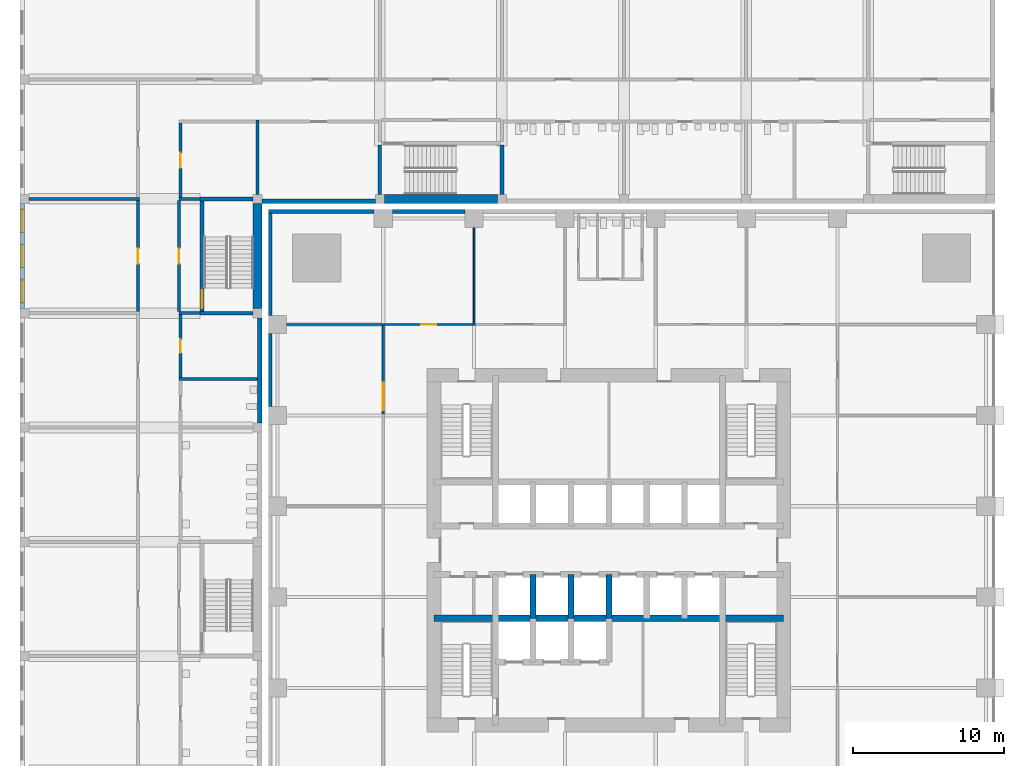
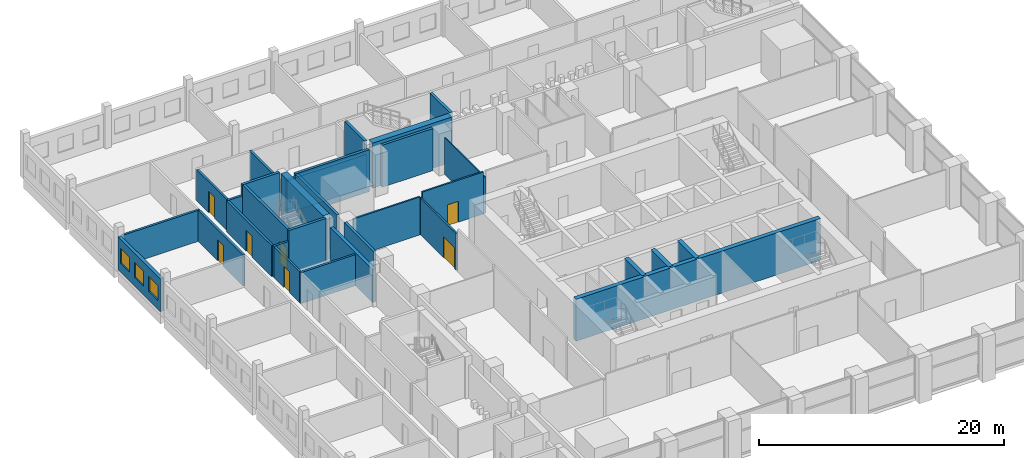
# One storey, part 13 of 25: 33 walls, 7 doors, 3 windows, 10 openings.
"""IFC4 building model written with IfcOpenShell, lengths in metres."""

from ifc_helpers import new_model, si_unit, direction, frame, frame_2d, origin, place, context, subcontext, project, spatial, rectangle, extrude, material, layer, layer_set, type_object, element, fill, save


model = new_model("IFC4")

# Units and contexts
model_context = context("Model", 3, precision=1e-05, world=origin(), true_north=direction((0.0, 1.0)))
body_context = subcontext(model_context, "Body", "Model", "MODEL_VIEW")
ifc_project = project(units=[si_unit("LENGTHUNIT", "METRE"), si_unit("AREAUNIT", "SQUARE_METRE"), si_unit("VOLUMEUNIT", "CUBIC_METRE"), si_unit("PLANEANGLEUNIT", "RADIAN"), si_unit("MASSUNIT", "GRAM", prefix="KILO")], contexts=[model_context])

# Site, building, storey
site_placement = place(None, origin())
site = spatial("IfcSite", under=ifc_project, at=site_placement, CompositionType="ELEMENT")
building_placement = place(site_placement, origin())
building = spatial("IfcBuilding", under=site, at=building_placement, Name="Amberfall Residences", CompositionType="ELEMENT")
storey_placement = place(building_placement, frame((0.0, 0.0, 10.0)))
storey = spatial("IfcBuildingStorey", under=building, at=storey_placement, Name="L02", CompositionType="ELEMENT", Elevation=10.0)

# Walls
ifc_material_1 = material(Name="Concrete C80", Category="concrete")
ifc_layer_1 = layer(ifc_material_1, 0.39990234375)
ifc_layer_set_1 = layer_set([ifc_layer_1], Name="Core wall 400 C80")
wall_type_1 = type_object("IfcWallType", Name="Core wall 400 C80", PredefinedType="SHEAR", material=ifc_layer_set_1)
wall_1_placement = place(storey_placement, frame((62.949951171875, 41.0, 0.0), z_axis=(0.0, 0.0, 1.0), x_axis=(1.0, 0.0, 0.0)))
element("IfcWall", 1, at=wall_1_placement, inside=storey, type_object=wall_type_1, Name="Core wall RW2 L02 H75", PredefinedType="SHEAR", context=body_context, shape_type="SweptSolid", body=[
    extrude(rectangle(XDim=23.10009765625, YDim=0.39990234375, at=frame_2d((11.550048828125, 0.0))), origin(), (0.0, 0.0, 1.0), 4.199951171875),
])
for number, where, z_axis, x_axis, name in (
    (2, (69.5, 41.0, 0.0), (0.0, 0.0, 1.0), (0.0, 1.0, 0.0), "Core wall RW2 L02 LPD1"),
    (3, (72.0, 41.0, 0.0), (0.0, 0.0, 1.0), (0.0, 1.0, 0.0), "Core wall RW2 L02 LPD2"),
    (4, (74.5, 41.0, 0.0), (0.0, 0.0, 1.0), (0.0, 1.0, 0.0), "Core wall RW2 L02 LPD3"),
):
    element("IfcWall", number, at=place(storey_placement, frame(where, z_axis=z_axis, x_axis=x_axis)), inside=storey, type_object=wall_type_1, Name=name, PredefinedType="SHEAR", context=body_context, shape_type="SweptSolid", body=[
        extrude(rectangle(XDim=2.89990234375, YDim=0.39990234375, at=frame_2d((1.449951171875, 0.0))), origin(), (0.0, 0.0, 1.0), 4.199951171875),
    ])
ifc_material_2 = material(Name="Gypsum board on steel studs", Category="steel")
ifc_layer_2 = layer(ifc_material_2, 0.10009765625)
ifc_layer_set_2 = layer_set([ifc_layer_2], Name="Partition 100")
wall_type_2 = type_object("IfcWallType", Name="Partition 100", PredefinedType="PARTITIONING", material=ifc_layer_set_2)
wall_2_placement = place(storey_placement, frame((65.60009765625, 60.47509765625, 0.0), z_axis=(0.0, 0.0, 1.0), x_axis=(0.0, 1.0, 0.0)))
element("IfcWall", 5, at=wall_2_placement, inside=storey, type_object=wall_type_2, Name="Partition 100 L02 004", PredefinedType="PARTITIONING", context=body_context, shape_type="SweptSolid", body=[
    extrude(rectangle(XDim=6.324951171875, YDim=0.10009765625, at=frame_2d((3.16259765625, 0.0))), origin(), (0.0, 0.0, 1.0), 3.6669921875),
])
ifc_material_3 = material(Name="Fire-rated gypsum board on steel studs", Category="steel")
ifc_layer_3 = layer(ifc_material_3, 0.14990234375)
ifc_layer_set_3 = layer_set([ifc_layer_3], Name="Partition 150 fire-rated")
wall_type_3 = type_object("IfcWallType", Name="Partition 150 fire-rated", PredefinedType="PARTITIONING", material=ifc_layer_set_3)
wall_3_placement = place(storey_placement, frame((53.199951171875, 60.39990234375, 0.0), z_axis=(0.0, 0.0, 1.0), x_axis=(1.0, 0.0, 0.0)))
element("IfcWall", 6, at=wall_3_placement, inside=storey, type_object=wall_type_3, Name="Partition 150 fire-rated L02 014", PredefinedType="PARTITIONING", context=body_context, shape_type="SweptSolid", body=[
    extrude(rectangle(XDim=6.280029296875, YDim=0.14990234375, at=frame_2d((3.14013671875, 0.0))), origin(), (0.0, 0.0, 1.0), 3.797119140625),
])
wall_4_placement = place(storey_placement, frame((59.49462890625, 60.39990234375, 0.0), z_axis=(0.0, 0.0, 1.0), x_axis=(1.0, 0.0, 0.0)))
element("IfcWall", 7, at=wall_4_placement, inside=storey, type_object=wall_type_3, Name="Partition 150 fire-rated L02 015", PredefinedType="PARTITIONING", context=body_context, shape_type="SweptSolid", body=[
    extrude(rectangle(XDim=0.210693359375, YDim=0.14990234375, at=frame_2d((0.10546875, 0.0))), origin(), (0.0, 0.0, 1.0), 3.659912109375),
])

# Wall, opening, door
wall_5_placement = place(storey_placement, frame((59.705322265625, 60.39990234375, 0.0), z_axis=(0.0, 0.0, 1.0), x_axis=(1.0, 0.0, 0.0)))
wall_5 = element("IfcWall", 8, at=wall_5_placement, inside=storey, type_object=wall_type_3, Name="Partition 150 fire-rated L02 016", PredefinedType="PARTITIONING", context=body_context, shape_type="SweptSolid", body=[
    extrude(rectangle(XDim=5.7900390625, YDim=0.14990234375, at=frame_2d((2.89501953125, 0.0))), origin(), (0.0, 0.0, 1.0), 4.199951171875),
])
opening_1_placement = place(wall_5_placement, frame((2.39453125, 0.0, 0.0)))
opening_1 = element("IfcOpeningElement", 9, at=opening_1_placement, cuts=wall_5, Name="Opening D2", PredefinedType="OPENING", context=body_context, shape_type="SweptSolid", body=[
    extrude(rectangle(XDim=1.0, YDim=2.10009765625, at=frame_2d((0.5, 1.050048828125))), frame((0.0, 0.0849609375, 0.0), z_axis=(0.0, -1.0, 0.0), x_axis=(1.0, 0.0, 0.0)), (0.0, 0.0, 1.0), 0.169921875),
])
ifc_material_4 = material(Name="Steel fire door leaf", Category="steel")
door_type_1 = type_object("IfcDoorType", Name="Fire door 1000x2100 FD30S", OperationType="SINGLE_SWING_LEFT", PredefinedType="DOOR", material=ifc_material_4)
door_1_placement = place(opening_1_placement, origin())
door_1 = element("IfcDoor", 10, at=door_1_placement, inside=storey, type_object=door_type_1, Name="Door Changing rooms", OperationType="SINGLE_SWING_LEFT", OverallHeight=2.10009765625, OverallWidth=1.0, PredefinedType="DOOR", context=body_context, shape_type="SweptSolid", body=[
    extrude(rectangle(XDim=1.0, YDim=2.10009765625, at=frame_2d((0.5, 1.050048828125))), frame((0.0, 0.02490234375, 0.0), z_axis=(0.0, -1.0, 0.0), x_axis=(1.0, 0.0, 0.0)), (0.0, 0.0, 1.0), 0.050048828125),
])
fill(opening_1, door_1)

# Wall
wall_6_placement = place(storey_placement, frame((65.495361328125, 60.39990234375, 0.0), z_axis=(0.0, 0.0, 1.0), x_axis=(1.0, 0.0, 0.0)))
element("IfcWall", 11, at=wall_6_placement, inside=storey, type_object=wall_type_3, Name="Partition 150 fire-rated L02 017", PredefinedType="PARTITIONING", context=body_context, shape_type="SweptSolid", body=[
    extrude(rectangle(XDim=0.209228515625, YDim=0.14990234375, at=frame_2d((0.1044921875, 0.0))), origin(), (0.0, 0.0, 1.0), 3.6669921875),
])

# Wall, opening, door
wall_7_placement = place(storey_placement, frame((59.60009765625, 54.504638671875, 0.0), z_axis=(0.0, 0.0, 1.0), x_axis=(0.0, 1.0, 0.0)))
wall_7 = element("IfcWall", 12, at=wall_7_placement, inside=storey, type_object=wall_type_3, Name="Partition 150 fire-rated L02 035", PredefinedType="PARTITIONING", context=body_context, shape_type="SweptSolid", body=[
    extrude(rectangle(XDim=5.8203125, YDim=0.14990234375, at=frame_2d((2.91015625, 0.0))), origin(), (0.0, 0.0, 1.0), 3.659912109375),
])
opening_2_placement = place(wall_7_placement, frame((0.245361328125, 0.0, 0.0)))
opening_2 = element("IfcOpeningElement", 13, at=opening_2_placement, cuts=wall_7, Name="Opening D5", PredefinedType="OPENING", context=body_context, shape_type="SweptSolid", body=[
    extrude(rectangle(XDim=1.800048828125, YDim=2.10009765625, at=frame_2d((0.89990234375, 1.050048828125))), frame((0.0, 0.0849609375, 0.0), z_axis=(0.0, -1.0, 0.0), x_axis=(1.0, 0.0, 0.0)), (0.0, 0.0, 1.0), 0.169921875),
])
ifc_material_5 = material(Name="Timber veneer door leaf", Category="wood")
door_type_2 = type_object("IfcDoorType", Name="Double door 1800x2100", OperationType="DOUBLE_DOOR_SINGLE_SWING", PredefinedType="DOOR", material=ifc_material_5)
door_2_placement = place(opening_2_placement, origin())
door_2 = element("IfcDoor", 14, at=door_2_placement, inside=storey, type_object=door_type_2, Name="Door Climbing wall room", OperationType="DOUBLE_DOOR_SINGLE_SWING", OverallHeight=2.10009765625, OverallWidth=1.800048828125, PredefinedType="DOOR", context=body_context, shape_type="SweptSolid", body=[
    extrude(rectangle(XDim=1.800048828125, YDim=2.10009765625, at=frame_2d((0.89990234375, 1.050048828125))), frame((0.0, 0.02490234375, 0.0), z_axis=(0.0, -1.0, 0.0), x_axis=(1.0, 0.0, 0.0)), (0.0, 0.0, 1.0), 0.050048828125),
])
fill(opening_2, door_2)

# Walls
ifc_material_6 = material(Name="Precast concrete C40", Category="concrete")
ifc_layer_4 = layer(ifc_material_6, 0.25)
ifc_layer_set_4 = layer_set([ifc_layer_4], Name="Podium external wall 250")
wall_type_4 = type_object("IfcWallType", Name="Podium external wall 250", PredefinedType="SOLIDWALL", material=ifc_layer_set_4)
wall_8_placement = place(storey_placement, frame((52.0, 67.875, 0.0), z_axis=(0.0, 0.0, 1.0), x_axis=(1.0, 0.0, 0.0)))
element("IfcWall", 15, at=wall_8_placement, inside=storey, type_object=wall_type_4, Name="Podium external wall N1", PredefinedType="SOLIDWALL", context=body_context, shape_type="SweptSolid", body=[
    extrude(rectangle(XDim=7.0, YDim=0.25, at=frame_2d((3.5, 0.0))), origin(), (0.0, 0.0, 1.0), 4.199951171875),
])
for number, where, z_axis, x_axis, name in (
    (16, (60.199951171875, 67.875, 0.0), (0.0, 0.0, 1.0), (1.0, 0.0, 0.0), "Podium external wall N2"),
    (17, (52.125, 55.0, 0.0), (0.0, 0.0, 1.0), (0.0, 1.0, 0.0), "Podium external wall W6"),
):
    element("IfcWall", number, at=place(storey_placement, frame(where, z_axis=z_axis, x_axis=x_axis)), inside=storey, type_object=wall_type_4, Name=name, PredefinedType="SOLIDWALL", context=body_context, shape_type="SweptSolid", body=[
        extrude(rectangle(XDim=4.800048828125, YDim=0.25, at=frame_2d((2.39990234375, 0.0))), origin(), (0.0, 0.0, 1.0), 4.199951171875),
    ])
wall_9_placement = place(storey_placement, frame((52.125, 61.0, 0.0), z_axis=(0.0, 0.0, 1.0), x_axis=(0.0, 1.0, 0.0)))
element("IfcWall", 18, at=wall_9_placement, inside=storey, type_object=wall_type_4, Name="Podium external wall W7", PredefinedType="SOLIDWALL", context=body_context, shape_type="SweptSolid", body=[
    extrude(rectangle(XDim=7.0, YDim=0.25, at=frame_2d((3.5, 0.0))), origin(), (0.0, 0.0, 1.0), 4.199951171875),
])

# Wall, openings, windows
ifc_material_7 = material(Name="Aerated block wall")
ifc_layer_5 = layer(ifc_material_7, 0.300048828125)
ifc_layer_set_5 = layer_set([ifc_layer_5], Name="School external wall 300")
wall_type_5 = type_object("IfcWallType", Name="School external wall 300", PredefinedType="SOLIDWALL", material=ifc_layer_set_5)
wall_10_placement = place(storey_placement, frame((35.75, 61.449951171875, 0.0), z_axis=(0.0, 0.0, 1.0), x_axis=(0.0, 1.0, 0.0)))
wall_10 = element("IfcWall", 19, at=wall_10_placement, inside=storey, type_object=wall_type_5, Name="School external wall L02 EW7", PredefinedType="SOLIDWALL", context=body_context, shape_type="SweptSolid", body=[
    extrude(rectangle(XDim=6.949951171875, YDim=0.300048828125, at=frame_2d((3.47509765625, 0.0))), origin(), (0.0, 0.0, 1.0), 3.300048828125),
])
opening_3_placement = place(wall_10_placement, frame((0.408203125, 0.0, 0.89990234375)))
opening_3 = element("IfcOpeningElement", 20, at=opening_3_placement, cuts=wall_10, Name="Opening SWN1", PredefinedType="OPENING", context=body_context, shape_type="SweptSolid", body=[
    extrude(rectangle(XDim=1.5, YDim=1.5, at=frame_2d((0.75, 0.75))), frame((0.0, 0.159912109375, 0.0), z_axis=(0.0, -1.0, 0.0), x_axis=(1.0, 0.0, 0.0)), (0.0, 0.0, 1.0), 0.320068359375),
])
opening_4_placement = place(wall_10_placement, frame((2.72509765625, 0.0, 0.89990234375)))
opening_4 = element("IfcOpeningElement", 21, at=opening_4_placement, cuts=wall_10, Name="Opening SWN1", PredefinedType="OPENING", context=body_context, shape_type="SweptSolid", body=[
    extrude(rectangle(XDim=1.5, YDim=1.5, at=frame_2d((0.75, 0.75))), frame((0.0, 0.159912109375, 0.0), z_axis=(0.0, -1.0, 0.0), x_axis=(1.0, 0.0, 0.0)), (0.0, 0.0, 1.0), 0.320068359375),
])
opening_5_placement = place(wall_10_placement, frame((5.041748046875, 0.0, 0.89990234375)))
opening_5 = element("IfcOpeningElement", 22, at=opening_5_placement, cuts=wall_10, Name="Opening SWN1", PredefinedType="OPENING", context=body_context, shape_type="SweptSolid", body=[
    extrude(rectangle(XDim=1.5, YDim=1.5, at=frame_2d((0.75, 0.75))), frame((0.0, 0.159912109375, 0.0), z_axis=(0.0, -1.0, 0.0), x_axis=(1.0, 0.0, 0.0)), (0.0, 0.0, 1.0), 0.320068359375),
])
ifc_material_8 = material(Name="Aluminium window", Category="aluminium")
window_type = type_object("IfcWindowType", Name="School window 1500 x 1500", PartitioningType="DOUBLE_PANEL_HORIZONTAL", PredefinedType="WINDOW", material=ifc_material_8)
window_1_placement = place(opening_3_placement, origin())
window_1 = element("IfcWindow", 23, at=window_1_placement, inside=storey, type_object=window_type, Name="School window L02 EW7-1", OverallHeight=1.5, OverallWidth=1.5, PartitioningType="DOUBLE_PANEL_HORIZONTAL", PredefinedType="WINDOW", context=body_context, shape_type="SweptSolid", body=[
    extrude(rectangle(XDim=1.5, YDim=1.5, at=frame_2d((0.75, 0.75))), frame((0.0, 0.030029296875, 0.0), z_axis=(0.0, -1.0, 0.0), x_axis=(1.0, 0.0, 0.0)), (0.0, 0.0, 1.0), 0.06005859375),
])
fill(opening_3, window_1)
window_2_placement = place(opening_4_placement, origin())
window_2 = element("IfcWindow", 24, at=window_2_placement, inside=storey, type_object=window_type, Name="School window L02 EW7-2", OverallHeight=1.5, OverallWidth=1.5, PartitioningType="DOUBLE_PANEL_HORIZONTAL", PredefinedType="WINDOW", context=body_context, shape_type="SweptSolid", body=[
    extrude(rectangle(XDim=1.5, YDim=1.5, at=frame_2d((0.75, 0.75))), frame((0.0, 0.030029296875, 0.0), z_axis=(0.0, -1.0, 0.0), x_axis=(1.0, 0.0, 0.0)), (0.0, 0.0, 1.0), 0.06005859375),
])
fill(opening_4, window_2)
window_3_placement = place(opening_5_placement, origin())
window_3 = element("IfcWindow", 25, at=window_3_placement, inside=storey, type_object=window_type, Name="School window L02 EW7-3", OverallHeight=1.5, OverallWidth=1.5, PartitioningType="DOUBLE_PANEL_HORIZONTAL", PredefinedType="WINDOW", context=body_context, shape_type="SweptSolid", body=[
    extrude(rectangle(XDim=1.5, YDim=1.5, at=frame_2d((0.75, 0.75))), frame((0.0, 0.030029296875, 0.0), z_axis=(0.0, -1.0, 0.0), x_axis=(1.0, 0.0, 0.0)), (0.0, 0.0, 1.0), 0.06005859375),
])
fill(opening_5, window_3)

# Walls
wall_11_placement = place(storey_placement, frame((51.449951171875, 53.89990234375, 0.0), z_axis=(0.0, 0.0, 1.0), x_axis=(0.0, 1.0, 0.0)))
element("IfcWall", 26, at=wall_11_placement, inside=storey, type_object=wall_type_5, Name="School external wall L02 ET6", PredefinedType="SOLIDWALL", context=body_context, shape_type="SweptSolid", body=[
    extrude(rectangle(XDim=6.9501953125, YDim=0.300048828125, at=frame_2d((3.47509765625, 0.0))), origin(), (0.0, 0.0, 1.0), 3.300048828125),
])
wall_12_placement = place(storey_placement, frame((51.60009765625, 68.550048828125, 0.0), z_axis=(0.0, 0.0, 1.0), x_axis=(1.0, 0.0, 0.0)))
element("IfcWall", 27, at=wall_12_placement, inside=storey, type_object=wall_type_5, Name="School external wall L02 EY0", PredefinedType="SOLIDWALL", context=body_context, shape_type="SweptSolid", body=[
    extrude(rectangle(XDim=7.466796875, YDim=0.300048828125, at=frame_2d((3.7333984375, 0.0))), origin(), (0.0, 0.0, 1.0), 3.300048828125),
])

# Wall, opening, door
ifc_layer_6 = layer(ifc_material_7, 0.199951171875)
ifc_layer_set_6 = layer_set([ifc_layer_6], Name="School partition 200")
wall_type_6 = type_object("IfcWallType", Name="School partition 200", PredefinedType="PARTITIONING", material=ifc_layer_set_6)
wall_13_placement = place(storey_placement, frame((43.39990234375, 61.25, 0.0), z_axis=(0.0, 0.0, 1.0), x_axis=(0.0, 1.0, 0.0)))
wall_13 = element("IfcWall", 28, at=wall_13_placement, inside=storey, type_object=wall_type_6, Name="School partition L02 CWW7", PredefinedType="PARTITIONING", context=body_context, shape_type="SweptSolid", body=[
    extrude(rectangle(XDim=7.35009765625, YDim=0.199951171875, at=frame_2d((3.675048828125, 0.0))), origin(), (0.0, 0.0, 1.0), 3.10009765625),
])
opening_6_placement = place(wall_13_placement, frame((3.175048828125, 0.0, 0.0)))
opening_6 = element("IfcOpeningElement", 29, at=opening_6_placement, cuts=wall_13, Name="Opening SD5", PredefinedType="OPENING", context=body_context, shape_type="SweptSolid", body=[
    extrude(rectangle(XDim=1.0, YDim=2.10009765625, at=frame_2d((0.5, 1.050048828125))), frame((0.0, 0.10986328125, 0.0), z_axis=(0.0, -1.0, 0.0), x_axis=(1.0, 0.0, 0.0)), (0.0, 0.0, 1.0), 0.219970703125),
])
ifc_material_9 = material(Name="Timber door", Category="wood")
door_type_3 = type_object("IfcDoorType", Name="School classroom door 1000 x 2100", OperationType="SINGLE_SWING_LEFT", PredefinedType="DOOR", material=ifc_material_9)
door_3_placement = place(opening_6_placement, origin())
door_3 = element("IfcDoor", 30, at=door_3_placement, inside=storey, type_object=door_type_3, Name="School door L02 CWW7-1", OperationType="SINGLE_SWING_LEFT", OverallHeight=2.10009765625, OverallWidth=1.0, PredefinedType="DOOR", context=body_context, shape_type="SweptSolid", body=[
    extrude(rectangle(XDim=1.0, YDim=2.10009765625, at=frame_2d((0.5, 1.050048828125))), frame((0.0, 0.02490234375, 0.0), z_axis=(0.0, -1.0, 0.0), x_axis=(1.0, 0.0, 0.0)), (0.0, 0.0, 1.0), 0.050048828125),
])
fill(opening_6, door_3)

# Wall
wall_14_placement = place(storey_placement, frame((36.199951171875, 68.699951171875, 0.0), z_axis=(0.0, 0.0, 1.0), x_axis=(1.0, 0.0, 0.0)))
element("IfcWall", 31, at=wall_14_placement, inside=storey, type_object=wall_type_6, Name="School partition L02 PW6870", PredefinedType="PARTITIONING", context=body_context, shape_type="SweptSolid", body=[
    extrude(rectangle(XDim=7.300048828125, YDim=0.199951171875, at=frame_2d((3.64990234375, 0.0))), origin(), (0.0, 0.0, 1.0), 3.10009765625),
])

# Wall, opening, door
wall_15_placement = place(storey_placement, frame((46.199951171875, 56.89990234375, 0.0), z_axis=(0.0, 0.0, 1.0), x_axis=(0.0, 1.0, 0.0)))
wall_15 = element("IfcWall", 32, at=wall_15_placement, inside=storey, type_object=wall_type_6, Name="School partition L02 CWE657", PredefinedType="PARTITIONING", context=body_context, shape_type="SweptSolid", body=[
    extrude(rectangle(XDim=4.150146484375, YDim=0.199951171875, at=frame_2d((2.0751953125, 0.0))), origin(), (0.0, 0.0, 1.0), 3.10009765625),
])
opening_7_placement = place(wall_15_placement, frame((1.625, 0.0, 0.0)))
opening_7 = element("IfcOpeningElement", 33, at=opening_7_placement, cuts=wall_15, Name="Opening SD2", PredefinedType="OPENING", context=body_context, shape_type="SweptSolid", body=[
    extrude(rectangle(XDim=0.89990234375, YDim=2.10009765625, at=frame_2d((0.449951171875, 1.050048828125))), frame((0.0, 0.10986328125, 0.0), z_axis=(0.0, -1.0, 0.0), x_axis=(1.0, 0.0, 0.0)), (0.0, 0.0, 1.0), 0.219970703125),
])
door_type_4 = type_object("IfcDoorType", Name="School WC door 900 x 2100", OperationType="SINGLE_SWING_LEFT", PredefinedType="DOOR", material=ifc_material_9)
door_4_placement = place(opening_7_placement, origin())
door_4 = element("IfcDoor", 34, at=door_4_placement, inside=storey, type_object=door_type_4, Name="School door L02 CWE657-1", OperationType="SINGLE_SWING_LEFT", OverallHeight=2.10009765625, OverallWidth=0.89990234375, PredefinedType="DOOR", context=body_context, shape_type="SweptSolid", body=[
    extrude(rectangle(XDim=0.89990234375, YDim=2.10009765625, at=frame_2d((0.449951171875, 1.050048828125))), frame((0.0, 0.02490234375, 0.0), z_axis=(0.0, -1.0, 0.0), x_axis=(1.0, 0.0, 0.0)), (0.0, 0.0, 1.0), 0.050048828125),
])
fill(opening_7, door_4)

wall_16_placement = place(storey_placement, frame((46.199951171875, 68.800048828125, 0.0), z_axis=(0.0, 0.0, 1.0), x_axis=(0.0, 1.0, 0.0)))
wall_16 = element("IfcWall", 35, at=wall_16_placement, inside=storey, type_object=wall_type_6, Name="School partition L02 CWE869", PredefinedType="PARTITIONING", context=body_context, shape_type="SweptSolid", body=[
    extrude(rectangle(XDim=4.89990234375, YDim=0.199951171875, at=frame_2d((2.449951171875, 0.0))), origin(), (0.0, 0.0, 1.0), 3.10009765625),
])
opening_8_placement = place(wall_16_placement, frame((1.949951171875, 0.0, 0.0)))
opening_8 = element("IfcOpeningElement", 36, at=opening_8_placement, cuts=wall_16, Name="Opening SD5", PredefinedType="OPENING", context=body_context, shape_type="SweptSolid", body=[
    extrude(rectangle(XDim=1.0, YDim=2.10009765625, at=frame_2d((0.5, 1.050048828125))), frame((0.0, 0.10986328125, 0.0), z_axis=(0.0, -1.0, 0.0), x_axis=(1.0, 0.0, 0.0)), (0.0, 0.0, 1.0), 0.219970703125),
])
door_5_placement = place(opening_8_placement, origin())
door_5 = element("IfcDoor", 37, at=door_5_placement, inside=storey, type_object=door_type_3, Name="School door L02 CWE869-1", OperationType="SINGLE_SWING_LEFT", OverallHeight=2.10009765625, OverallWidth=1.0, PredefinedType="DOOR", context=body_context, shape_type="SweptSolid", body=[
    extrude(rectangle(XDim=1.0, YDim=2.10009765625, at=frame_2d((0.5, 1.050048828125))), frame((0.0, 0.02490234375, 0.0), z_axis=(0.0, -1.0, 0.0), x_axis=(1.0, 0.0, 0.0)), (0.0, 0.0, 1.0), 0.050048828125),
])
fill(opening_8, door_5)

# Walls
for number, where, z_axis, x_axis, name in (
    (38, (46.10009765625, 61.14990234375, 0.0), (0.0, 0.0, 1.0), (1.0, 0.0, 0.0), "School partition L02 PEA7"),
    (39, (46.10009765625, 68.699951171875, 0.0), (0.0, 0.0, 1.0), (1.0, 0.0, 0.0), "School partition L02 PEA8"),
):
    element("IfcWall", number, at=place(storey_placement, frame(where, z_axis=z_axis, x_axis=x_axis)), inside=storey, type_object=wall_type_6, Name=name, PredefinedType="PARTITIONING", context=body_context, shape_type="SweptSolid", body=[
        extrude(rectangle(XDim=1.39990234375, YDim=0.199951171875, at=frame_2d((0.699951171875, 0.0))), origin(), (0.0, 0.0, 1.0), 3.10009765625),
    ])
wall_17_placement = place(storey_placement, frame((46.10009765625, 56.800048828125, 0.0), z_axis=(0.0, 0.0, 1.0), x_axis=(1.0, 0.0, 0.0)))
element("IfcWall", 40, at=wall_17_placement, inside=storey, type_object=wall_type_6, Name="School partition L02 PE6x", PredefinedType="PARTITIONING", context=body_context, shape_type="SweptSolid", body=[
    extrude(rectangle(XDim=5.199951171875, YDim=0.199951171875, at=frame_2d((2.60009765625, 0.0))), origin(), (0.0, 0.0, 1.0), 3.10009765625),
])
wall_18_placement = place(storey_placement, frame((51.300048828125, 69.0, 0.0), z_axis=(0.0, 0.0, 1.0), x_axis=(0.0, 1.0, 0.0)))
element("IfcWall", 41, at=wall_18_placement, inside=storey, type_object=wall_type_6, Name="School partition L02 PES", PredefinedType="PARTITIONING", context=body_context, shape_type="SweptSolid", body=[
    extrude(rectangle(XDim=4.89990234375, YDim=0.199951171875, at=frame_2d((2.449951171875, 0.0))), origin(), (0.0, 0.0, 1.0), 3.10009765625),
])

# Wall, opening, door
wall_19_placement = place(storey_placement, frame((46.10009765625, 61.25, 0.0), z_axis=(0.0, 0.0, 1.0), x_axis=(0.0, 1.0, 0.0)))
wall_19 = element("IfcWall", 42, at=wall_19_placement, inside=storey, type_object=wall_type_6, Name="School partition L02 CWLSS3", PredefinedType="PARTITIONING", context=body_context, shape_type="SweptSolid", body=[
    extrude(rectangle(XDim=7.35009765625, YDim=0.199951171875, at=frame_2d((3.675048828125, 0.0))), origin(), (0.0, 0.0, 1.0), 3.10009765625),
])
opening_9_placement = place(wall_19_placement, frame((3.175048828125, 0.0, 0.0)))
opening_9 = element("IfcOpeningElement", 43, at=opening_9_placement, cuts=wall_19, Name="Opening SD8", PredefinedType="OPENING", context=body_context, shape_type="SweptSolid", body=[
    extrude(rectangle(XDim=1.0, YDim=2.10009765625, at=frame_2d((0.5, 1.050048828125))), frame((0.0, 0.10986328125, 0.0), z_axis=(0.0, -1.0, 0.0), x_axis=(1.0, 0.0, 0.0)), (0.0, 0.0, 1.0), 0.219970703125),
])
door_type_5 = type_object("IfcDoorType", Name="School lobby door 1000 x 2100", OperationType="SINGLE_SWING_LEFT", PredefinedType="DOOR", material=ifc_material_9)
door_6_placement = place(opening_9_placement, origin())
door_6 = element("IfcDoor", 44, at=door_6_placement, inside=storey, type_object=door_type_5, Name="School door L02 CWLSS3-1", OperationType="SINGLE_SWING_LEFT", OverallHeight=2.10009765625, OverallWidth=1.0, PredefinedType="DOOR", context=body_context, shape_type="SweptSolid", body=[
    extrude(rectangle(XDim=1.0, YDim=2.10009765625, at=frame_2d((0.5, 1.050048828125))), frame((0.0, 0.02490234375, 0.0), z_axis=(0.0, -1.0, 0.0), x_axis=(1.0, 0.0, 0.0)), (0.0, 0.0, 1.0), 0.050048828125),
])
fill(opening_9, door_6)

ifc_material_10 = material(Name="Concrete C50", Category="concrete")
ifc_layer_7 = layer(ifc_material_10, 0.25)
ifc_layer_set_7 = layer_set([ifc_layer_7], Name="School stair core wall 250 C50")
wall_type_7 = type_object("IfcWallType", Name="School stair core wall 250 C50", PredefinedType="SHEAR", material=ifc_layer_set_7)
wall_20_placement = place(storey_placement, frame((47.625, 61.27490234375, -0.300048828125), z_axis=(0.0, 0.0, 1.0), x_axis=(0.0, 1.0, 0.0)))
wall_20 = element("IfcWall", 45, at=wall_20_placement, inside=storey, type_object=wall_type_7, Name="School core wall L02 SS3W", PredefinedType="SHEAR", context=body_context, shape_type="SweptSolid", body=[
    extrude(rectangle(XDim=7.300048828125, YDim=0.25, at=frame_2d((3.64990234375, 0.0))), origin(), (0.0, 0.0, 1.0), 4.5),
])
opening_10_placement = place(wall_20_placement, frame((0.199951171875, 0.0, 0.300048828125)))
opening_10 = element("IfcOpeningElement", 46, at=opening_10_placement, cuts=wall_20, Name="Opening SD4", PredefinedType="OPENING", context=body_context, shape_type="SweptSolid", body=[
    extrude(rectangle(XDim=1.199951171875, YDim=2.10009765625, at=frame_2d((0.60009765625, 1.050048828125))), frame((0.0, 0.135009765625, 0.0), z_axis=(0.0, -1.0, 0.0), x_axis=(1.0, 0.0, 0.0)), (0.0, 0.0, 1.0), 0.27001953125),
])
ifc_material_11 = material(Name="Steel fire door", Category="steel")
door_type_6 = type_object("IfcDoorType", Name="School stair door 1200 x 2100 FD120", OperationType="SINGLE_SWING_LEFT", PredefinedType="DOOR", material=ifc_material_11)
door_7_placement = place(opening_10_placement, origin())
door_7 = element("IfcDoor", 47, at=door_7_placement, inside=storey, type_object=door_type_6, Name="School stair door L02 SS3", OperationType="SINGLE_SWING_LEFT", OverallHeight=2.10009765625, OverallWidth=1.199951171875, PredefinedType="DOOR", context=body_context, shape_type="SweptSolid", body=[
    extrude(rectangle(XDim=1.199951171875, YDim=2.10009765625, at=frame_2d((0.60009765625, 1.050048828125))), frame((0.0, 0.02490234375, 0.0), z_axis=(0.0, -1.0, 0.0), x_axis=(1.0, 0.0, 0.0)), (0.0, 0.0, 1.0), 0.050048828125),
])
fill(opening_10, door_7)

# Walls
for number, where, z_axis, x_axis, name in (
    (48, (47.5, 61.14990234375, -0.300048828125), (0.0, 0.0, 1.0), (1.0, 0.0, 0.0), "School core wall L02 SS3S"),
    (49, (47.5, 68.699951171875, -0.300048828125), (0.0, 0.0, 1.0), (1.0, 0.0, 0.0), "School core wall L02 SS3N"),
):
    element("IfcWall", number, at=place(storey_placement, frame(where, z_axis=z_axis, x_axis=x_axis)), inside=storey, type_object=wall_type_7, Name=name, PredefinedType="SHEAR", context=body_context, shape_type="SweptSolid", body=[
        extrude(rectangle(XDim=3.5, YDim=0.25, at=frame_2d((1.75, 0.0))), origin(), (0.0, 0.0, 1.0), 4.5),
    ])
for number, where, z_axis, x_axis, name in (
    (50, (59.366943359375, 69.0, -0.300048828125), (0.0, 0.0, 1.0), (0.0, 1.0, 0.0), "School core wall L02 SS4W"),
    (51, (67.43310546875, 69.0, -0.300048828125), (0.0, 0.0, 1.0), (0.0, 1.0, 0.0), "School core wall L02 SS4EW"),
):
    element("IfcWall", number, at=place(storey_placement, frame(where, z_axis=z_axis, x_axis=x_axis)), inside=storey, type_object=wall_type_7, Name=name, PredefinedType="SHEAR", context=body_context, shape_type="SweptSolid", body=[
        extrude(rectangle(XDim=3.25, YDim=0.25, at=frame_2d((1.625, 0.0))), origin(), (0.0, 0.0, 1.0), 4.5),
    ])
ifc_layer_8 = layer(ifc_material_10, 0.60009765625)
ifc_layer_set_8 = layer_set([ifc_layer_8], Name="School tower-side core wall 600 C50")
wall_type_8 = type_object("IfcWallType", Name="School tower-side core wall 600 C50", PredefinedType="SHEAR", material=ifc_layer_set_8)
wall_21_placement = place(storey_placement, frame((51.300048828125, 61.449951171875, -0.300048828125), z_axis=(0.0, 0.0, 1.0), x_axis=(0.0, 1.0, 0.0)))
element("IfcWall", 52, at=wall_21_placement, inside=storey, type_object=wall_type_8, Name="School core wall L02 SS3E", PredefinedType="SHEAR", context=body_context, shape_type="SweptSolid", body=[
    extrude(rectangle(XDim=6.949951171875, YDim=0.60009765625, at=frame_2d((3.47509765625, 0.0))), origin(), (0.0, 0.0, 1.0), 4.5),
])
wall_22_placement = place(storey_placement, frame((59.6669921875, 68.699951171875, -0.300048828125), z_axis=(0.0, 0.0, 1.0), x_axis=(1.0, 0.0, 0.0)))
element("IfcWall", 53, at=wall_22_placement, inside=storey, type_object=wall_type_8, Name="School core wall L02 SS4S", PredefinedType="SHEAR", context=body_context, shape_type="SweptSolid", body=[
    extrude(rectangle(XDim=7.466064453125, YDim=0.60009765625, at=frame_2d((3.73291015625, 0.0))), origin(), (0.0, 0.0, 1.0), 4.5),
])

save(model, "model.ifc")
